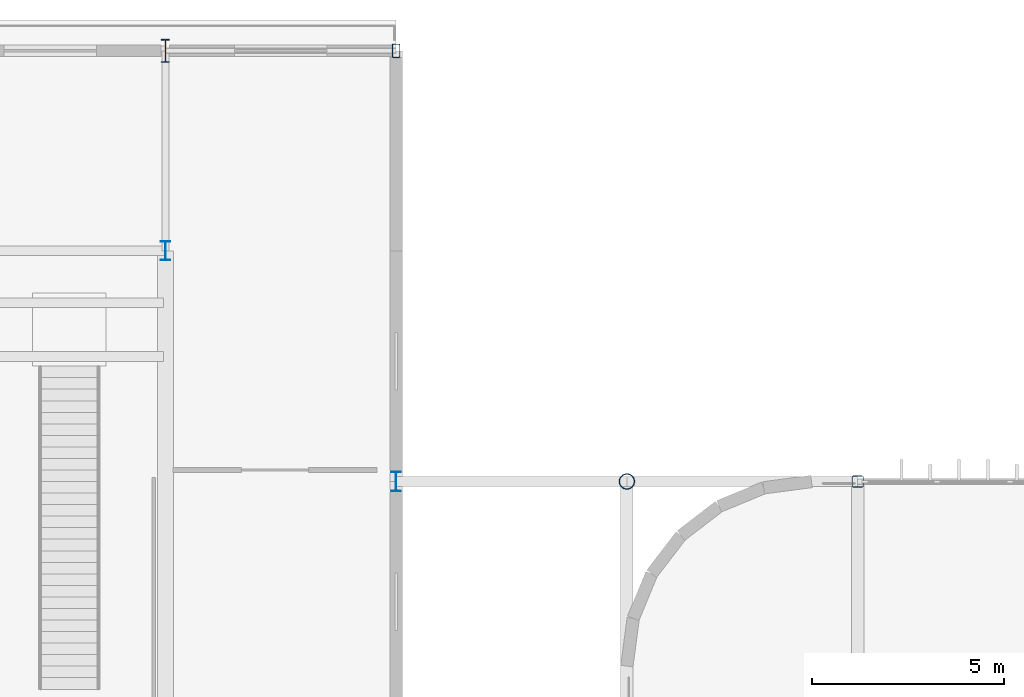
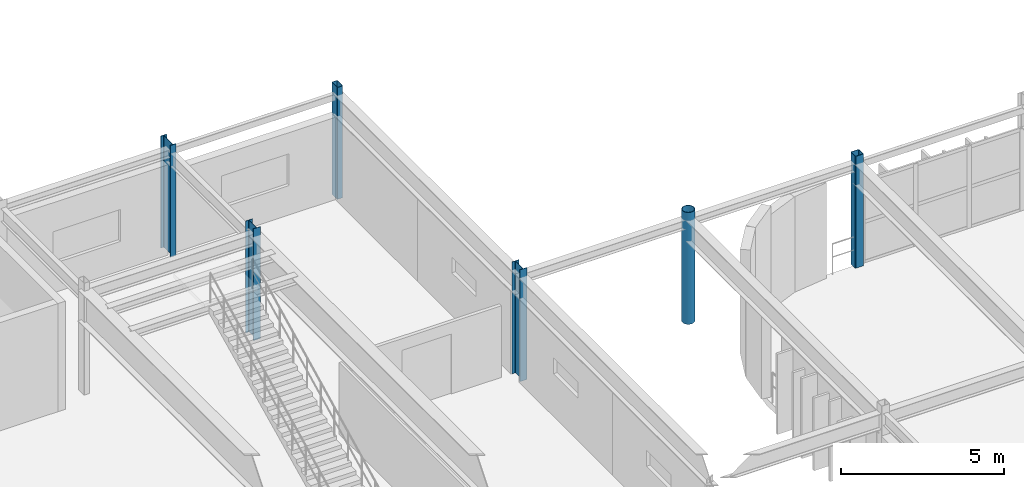
# One storey, part 15 of 116: 6 columns.
"""IFC4 building model written with IfcOpenShell, lengths in metres."""

from ifc_helpers import new_model, si_unit, direction, frame, origin, origin_2d, place, context, subcontext, project, spatial, hollow_rectangle, hollow_circle, i_section, extrude, material, material_profile, profile_set, type_object, element, save


model = new_model("IFC4")

# Units and contexts
model_context = context("Model", 3, precision=1e-05, world=origin(), true_north=direction((0.0, 1.0)))
body_context = subcontext(model_context, "Body", "Model", "MODEL_VIEW")
ifc_project = project(units=[si_unit("LENGTHUNIT", "METRE"), si_unit("AREAUNIT", "SQUARE_METRE"), si_unit("VOLUMEUNIT", "CUBIC_METRE"), si_unit("PLANEANGLEUNIT", "RADIAN"), si_unit("MASSUNIT", "GRAM", prefix="KILO")], contexts=[model_context])

# Site, building, storey
site_placement = place(None, origin())
site = spatial("IfcSite", under=ifc_project, at=site_placement, CompositionType="ELEMENT")
building_placement = place(site_placement, origin())
building = spatial("IfcBuilding", under=site, at=building_placement, Name="Varnakota Square Police Headquarters", CompositionType="ELEMENT")
storey_placement = place(building_placement, frame((0.0, 0.0, 9.300048828125)))
storey = spatial("IfcBuildingStorey", under=building, at=storey_placement, Name="L02", CompositionType="ELEMENT", Elevation=9.300048828125)

# Columns
ifc_material = material(Name="Steel IS 2062 Grade 350", Category="steel")
ifc_material_profile_1 = material_profile(ifc_material, hollow_circle(Radius=0.203125, WallThickness=0.01611328125, at=origin_2d()), Name="CHS 406.4x16.0")
ifc_profile_set_1 = profile_set([ifc_material_profile_1], Name="Steel IS 2062 Grade 350")
column_type_1 = type_object("IfcColumnType", Name="COL-CHS406", PredefinedType="COLUMN", material=ifc_profile_set_1)
column_1_placement = place(storey_placement, frame((60.0, 99.0, 0.0), z_axis=(0.0, 0.0, 1.0), x_axis=(1.0, 0.0, 0.0)))
element("IfcColumn", 1, at=column_1_placement, inside=storey, type_object=column_type_1, Name="Column X0600-Y0990 L02", PredefinedType="COLUMN", context=body_context, shape_type="SweptSolid", body=[
    extrude(hollow_circle(Radius=0.203125, WallThickness=0.01611328125, at=origin_2d()), origin(), (0.0, 0.0, 1.0), 4.199951171875),
])
ifc_material_profile_2 = material_profile(ifc_material, i_section(OverallWidth=0.2099609375, OverallDepth=0.60009765625, WebThickness=0.011962890625, FlangeThickness=0.020751953125, FilletRadius=0.02001953125, at=origin_2d()), Name="ISMB 600")
ifc_profile_set_2 = profile_set([ifc_material_profile_2], Name="Steel IS 2062 Grade 350")
column_type_2 = type_object("IfcColumnType", Name="COL-ISMB600", PredefinedType="COLUMN", material=ifc_profile_set_2)
column_2_placement = place(storey_placement, frame((48.0, 110.199951171875, 0.0), z_axis=(0.0, 0.0, 1.0), x_axis=(1.0, 0.0, 0.0)))
element("IfcColumn", 2, at=column_2_placement, inside=storey, type_object=column_type_2, Name="Column X0480-Y1102 L02", PredefinedType="COLUMN", context=body_context, shape_type="SweptSolid", body=[
    extrude(i_section(OverallWidth=0.2099609375, OverallDepth=0.60009765625, WebThickness=0.011962890625, FlangeThickness=0.020751953125, FilletRadius=0.02001953125, at=origin_2d()), origin(), (0.0, 0.0, 1.0), 4.199951171875),
])
ifc_material_profile_3 = material_profile(ifc_material, i_section(OverallWidth=0.25, OverallDepth=0.5, WebThickness=0.010009765625, FlangeThickness=0.0146484375, FilletRadius=0.014892578125, at=origin_2d()), Name="ISWB 500")
ifc_profile_set_3 = profile_set([ifc_material_profile_3], Name="Steel IS 2062 Grade 350")
column_type_3 = type_object("IfcColumnType", Name="COL-ISWB500", PredefinedType="COLUMN", material=ifc_profile_set_3)
for number, where, z_axis, x_axis, name in (
    (3, (48.0, 105.0, 0.0), (0.0, 0.0, 1.0), (1.0, 0.0, 0.0), "Column X0480-Y1050 L02"),
    (4, (54.0, 99.0, 0.0), (0.0, 0.0, 1.0), (1.0, 0.0, 0.0), "Column X0540-Y0990 L02"),
):
    element("IfcColumn", number, at=place(storey_placement, frame(where, z_axis=z_axis, x_axis=x_axis)), inside=storey, type_object=column_type_3, Name=name, PredefinedType="COLUMN", context=body_context, shape_type="SweptSolid", body=[
        extrude(i_section(OverallWidth=0.25, OverallDepth=0.5, WebThickness=0.010009765625, FlangeThickness=0.0146484375, FilletRadius=0.014892578125, at=origin_2d()), origin(), (0.0, 0.0, 1.0), 4.199951171875),
    ])
ifc_material_profile_4 = material_profile(ifc_material, hollow_rectangle(XDim=0.199951171875, YDim=0.35009765625, WallThickness=0.011962890625, InnerFilletRadius=0.011962890625, OuterFilletRadius=0.02392578125, at=origin_2d()), Name="RHS 350x200x12")
ifc_profile_set_4 = profile_set([ifc_material_profile_4], Name="Steel IS 2062 Grade 350")
column_type_4 = type_object("IfcColumnType", Name="COL-RHS350", PredefinedType="COLUMN", material=ifc_profile_set_4)
column_3_placement = place(storey_placement, frame((54.0, 110.199951171875, 0.0), z_axis=(0.0, 0.0, 1.0), x_axis=(1.0, 0.0, 0.0)))
element("IfcColumn", 5, at=column_3_placement, inside=storey, type_object=column_type_4, Name="Column X0540-Y1102 L02", PredefinedType="COLUMN", context=body_context, shape_type="SweptSolid", body=[
    extrude(hollow_rectangle(XDim=0.199951171875, YDim=0.35009765625, WallThickness=0.011962890625, InnerFilletRadius=0.011962890625, OuterFilletRadius=0.02392578125, at=origin_2d()), origin(), (0.0, 0.0, 1.0), 4.199951171875),
])
ifc_material_profile_5 = material_profile(ifc_material, hollow_rectangle(XDim=0.300048828125, YDim=0.300048828125, WallThickness=0.01611328125, InnerFilletRadius=0.01611328125, OuterFilletRadius=0.031982421875, at=origin_2d()), Name="SHS 300x300x16")
ifc_profile_set_5 = profile_set([ifc_material_profile_5], Name="Steel IS 2062 Grade 350")
column_type_5 = type_object("IfcColumnType", Name="COL-SHS300", PredefinedType="COLUMN", material=ifc_profile_set_5)
column_4_placement = place(storey_placement, frame((66.0, 99.0, 0.0), z_axis=(0.0, 0.0, 1.0), x_axis=(1.0, 0.0, 0.0)))
element("IfcColumn", 6, at=column_4_placement, inside=storey, type_object=column_type_5, Name="Column X0660-Y0990 L02", PredefinedType="COLUMN", context=body_context, shape_type="SweptSolid", body=[
    extrude(hollow_rectangle(XDim=0.300048828125, YDim=0.300048828125, WallThickness=0.01611328125, InnerFilletRadius=0.01611328125, OuterFilletRadius=0.031982421875, at=origin_2d()), origin(), (0.0, 0.0, 1.0), 4.199951171875),
])

save(model, "model.ifc")
